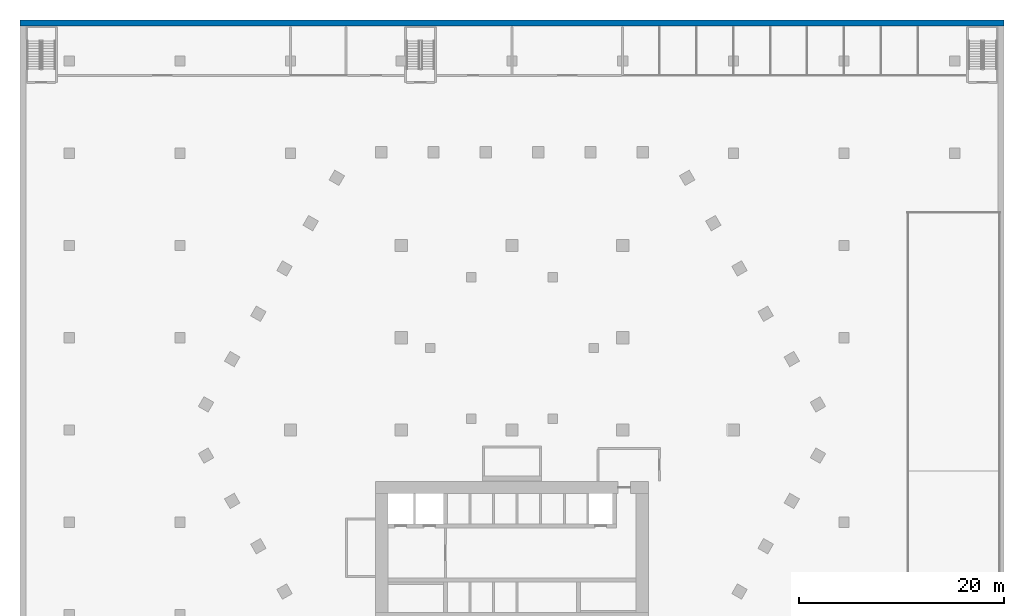
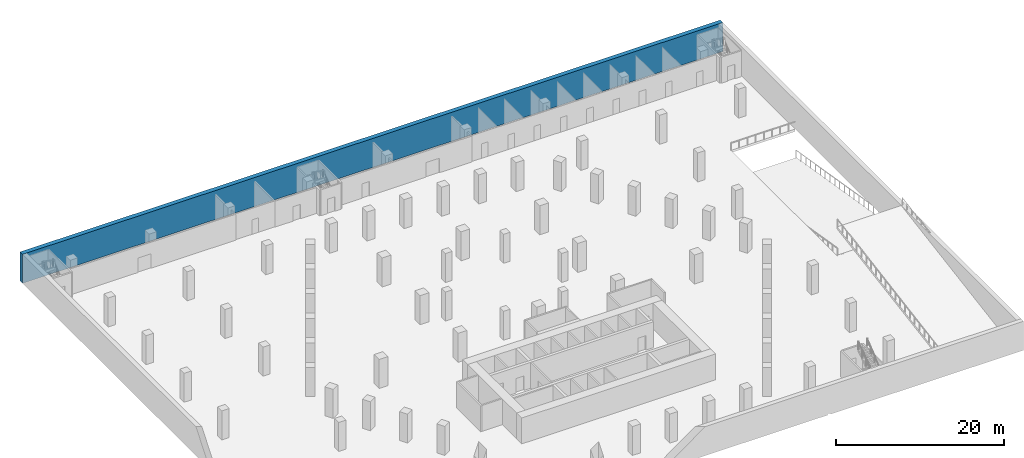
# One storey, part 9 of 20: 1 wall.
"""IFC4 building model written with IfcOpenShell, lengths in metres."""

from ifc_helpers import new_model, si_unit, direction, frame, frame_2d, origin, place, context, subcontext, project, spatial, rectangle, extrude, material, layer, layer_set, type_object, element, save


model = new_model("IFC4")

# Units and contexts
model_context = context("Model", 3, precision=1e-05, world=origin(), true_north=direction((0.0, 1.0)))
body_context = subcontext(model_context, "Body", "Model", "MODEL_VIEW")
ifc_project = project(units=[si_unit("LENGTHUNIT", "METRE"), si_unit("AREAUNIT", "SQUARE_METRE"), si_unit("VOLUMEUNIT", "CUBIC_METRE"), si_unit("PLANEANGLEUNIT", "RADIAN"), si_unit("MASSUNIT", "GRAM", prefix="KILO")], contexts=[model_context])

# Site, building, storey
site_placement = place(None, origin())
site = spatial("IfcSite", under=ifc_project, at=site_placement, CompositionType="ELEMENT")
building_placement = place(site_placement, origin())
building = spatial("IfcBuilding", under=site, at=building_placement, Name="Beryl Residences", CompositionType="ELEMENT")
storey_placement = place(building_placement, frame((0.0, 0.0, -4.199951171875)))
storey = spatial("IfcBuildingStorey", under=building, at=storey_placement, Name="B1", CompositionType="ELEMENT", Elevation=-4.199951171875)

# Wall
ifc_material = material(Name="Concrete C50/60", Category="concrete")
ifc_layer = layer(ifc_material, 0.60009765625)
ifc_layer_set = layer_set([ifc_layer], Name="RW1 basement wall 600 mm C50/60")
wall_type = type_object("IfcWallType", Name="RW1 basement wall 600 mm C50/60", PredefinedType="SOLIDWALL", material=ifc_layer_set)
wall_placement = place(storey_placement, frame((-48.0, 39.699951171875, 0.0), z_axis=(0.0, 0.0, 1.0), x_axis=(1.0, 0.0, 0.0)))
element("IfcWall", 1, at=wall_placement, inside=storey, type_object=wall_type, Name="RW1 B1 N", PredefinedType="SOLIDWALL", context=body_context, shape_type="SweptSolid", body=[
    extrude(rectangle(XDim=96.0, YDim=0.60009765625, at=frame_2d((48.0, 0.0))), origin(), (0.0, 0.0, 1.0), 4.199951171875),
])

save(model, "model.ifc")
